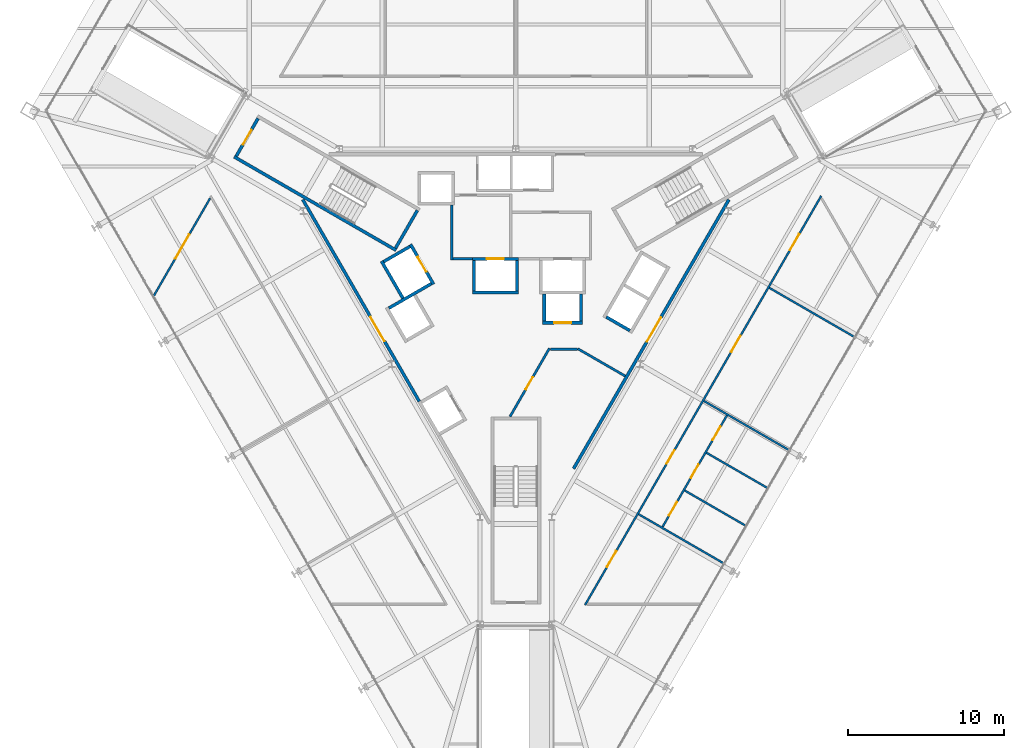
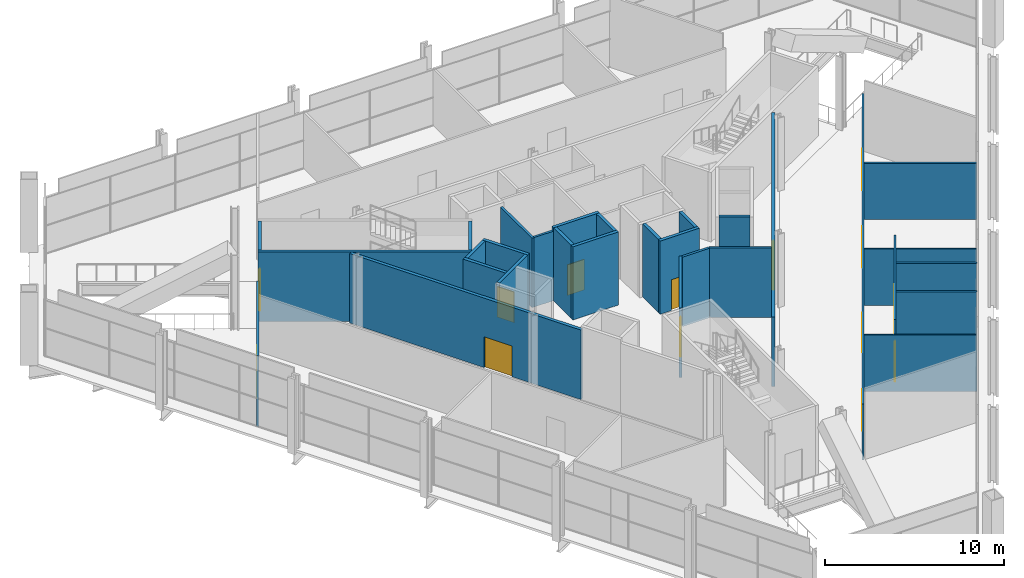
# One storey, part 13 of 20: 30 walls, 15 doors, 15 openings.
"""IFC4 building model written with IfcOpenShell, lengths in metres."""

from ifc_helpers import new_model, si_unit, direction, frame, frame_2d, origin, place, context, subcontext, project, spatial, rectangle, extrude, material, layer, layer_set, type_object, element, fill, save


model = new_model("IFC4")

# Units and contexts
model_context = context("Model", 3, precision=1e-05, world=origin(), true_north=direction((0.0, 1.0)))
body_context = subcontext(model_context, "Body", "Model", "MODEL_VIEW")
ifc_project = project(units=[si_unit("LENGTHUNIT", "METRE"), si_unit("AREAUNIT", "SQUARE_METRE"), si_unit("VOLUMEUNIT", "CUBIC_METRE"), si_unit("PLANEANGLEUNIT", "RADIAN"), si_unit("MASSUNIT", "GRAM", prefix="KILO")], contexts=[model_context])

# Site, building, storey
site_placement = place(None, origin())
site = spatial("IfcSite", under=ifc_project, at=site_placement, CompositionType="ELEMENT")
building_placement = place(site_placement, origin())
building = spatial("IfcBuilding", under=site, at=building_placement, Name="Verrane Prism Tower", CompositionType="ELEMENT")
storey_placement = place(building_placement, frame((0.0, 0.0, 17.39990234375)))
storey = spatial("IfcBuildingStorey", under=building, at=storey_placement, Name="L02", CompositionType="ELEMENT", Elevation=17.39990234375)

# Walls
ifc_material_1 = material(Name="Gypsum board partition", Category="other")
ifc_layer_1 = layer(ifc_material_1, 0.125)
ifc_layer_set_1 = layer_set([ifc_layer_1], Name="BW-125 demising wall 1 h")
wall_type_1 = type_object("IfcWallType", Name="BW-125 demising wall 1 h", PredefinedType="PARTITIONING", material=ifc_layer_set_1)
wall_1_placement = place(storey_placement, frame((16.257080078125, 0.292724609375, 0.0), z_axis=(0.0, 0.0, 1.0), x_axis=(0.866118237319, -0.499839173118, 0.0)))
element("IfcWall", 1, at=wall_1_placement, inside=storey, type_object=wall_type_1, Name="Demising wall 019", PredefinedType="PARTITIONING", context=body_context, shape_type="SweptSolid", body=[
    extrude(rectangle(XDim=6.33740234375, YDim=0.125, at=frame_2d((3.168701171875, 0.0))), origin(), (0.0, 0.0, 1.0), 3.85302734375),
])
ifc_material_2 = material(Name="Gypsum board partition", Category="other")
ifc_layer_2 = layer(ifc_material_2, 0.125)
ifc_layer_set_2 = layer_set([ifc_layer_2], Name="BW-125 plumbing wall")
wall_type_2 = type_object("IfcWallType", Name="BW-125 plumbing wall", PredefinedType="PARTITIONING", material=ifc_layer_set_2)
wall_2_placement = place(storey_placement, frame((7.875244140625, -14.226318359375, 0.0), z_axis=(0.0, 0.0, 1.0), x_axis=(0.866003371142, -0.500038159714, 0.0)))
element("IfcWall", 2, at=wall_2_placement, inside=storey, type_object=wall_type_2, Name="Plumbing wall 012", PredefinedType="PARTITIONING", context=body_context, shape_type="SweptSolid", body=[
    extrude(rectangle(XDim=6.3369140625, YDim=0.125, at=frame_2d((3.16845703125, 0.0))), origin(), (0.0, 0.0, 1.0), 3.85302734375),
])

# Wall, openings, doors
wall_3_placement = place(storey_placement, frame((13.539794921875, -7.88916015625, 0.0), z_axis=(0.0, 0.0, 1.0), x_axis=(-0.500033134207, -0.866006272896, 0.0)))
wall_3 = element("IfcWall", 3, at=wall_3_placement, inside=storey, type_object=wall_type_2, Name="Plumbing wall 014", PredefinedType="PARTITIONING", context=body_context, shape_type="SweptSolid", body=[
    extrude(rectangle(XDim=8.25341796875, YDim=0.125, at=frame_2d((4.126708984375, 0.0))), origin(), (0.0, 0.0, 1.0), 4.840087890625),
])
opening_1_placement = place(wall_3_placement, frame((6.4208984375, 0.0, 0.0)))
opening_1 = element("IfcOpeningElement", 4, at=opening_1_placement, cuts=wall_3, Name="Opening D02010", PredefinedType="OPENING", context=body_context, shape_type="SweptSolid", body=[
    extrude(rectangle(XDim=1.0, YDim=2.10009765625, at=frame_2d((0.5, 1.050048828125))), frame((0.0, 0.072509765625, 0.0), z_axis=(0.0, -1.0, 0.0), x_axis=(1.0, 0.0, 0.0)), (0.0, 0.0, 1.0), 0.14501953125),
])
opening_2_placement = place(wall_3_placement, frame((3.626953125, 0.0, 0.0)))
opening_2 = element("IfcOpeningElement", 5, at=opening_2_placement, cuts=wall_3, Name="Opening D02011", PredefinedType="OPENING", context=body_context, shape_type="SweptSolid", body=[
    extrude(rectangle(XDim=1.0, YDim=2.10009765625, at=frame_2d((0.5, 1.050048828125))), frame((0.0, 0.072509765625, 0.0), z_axis=(0.0, -1.0, 0.0), x_axis=(1.0, 0.0, 0.0)), (0.0, 0.0, 1.0), 0.14501953125),
])
opening_3_placement = place(wall_3_placement, frame((0.831787109375, 0.0, 0.0)))
opening_3 = element("IfcOpeningElement", 6, at=opening_3_placement, cuts=wall_3, Name="Opening D02012", PredefinedType="OPENING", context=body_context, shape_type="SweptSolid", body=[
    extrude(rectangle(XDim=1.0, YDim=2.10009765625, at=frame_2d((0.5, 1.050048828125))), frame((0.0, 0.072509765625, 0.0), z_axis=(0.0, -1.0, 0.0), x_axis=(1.0, 0.0, 0.0)), (0.0, 0.0, 1.0), 0.14501953125),
])
ifc_material_3 = material(Name="Timber veneered door leaf", Category="wood")
door_type_1 = type_object("IfcDoorType", Name="DR-1000x2100 single leaf room", OperationType="NOTDEFINED", PredefinedType="DOOR", material=ifc_material_3)
door_1_placement = place(opening_1_placement, origin())
door_1 = element("IfcDoor", 7, at=door_1_placement, inside=storey, type_object=door_type_1, Name="Door Men's WC 02SE", OperationType="SINGLE_SWING_LEFT", OverallHeight=2.10009765625, OverallWidth=1.0, PredefinedType="DOOR", context=body_context, shape_type="SweptSolid", body=[
    extrude(rectangle(XDim=1.0, YDim=2.10009765625, at=frame_2d((0.5, 1.050048828125))), frame((0.0, 0.02490234375, 0.0), z_axis=(0.0, -1.0, 0.0), x_axis=(1.0, 0.0, 0.0)), (0.0, 0.0, 1.0), 0.050048828125),
])
fill(opening_1, door_1)
door_2_placement = place(opening_2_placement, origin())
door_2 = element("IfcDoor", 8, at=door_2_placement, inside=storey, type_object=door_type_1, Name="Door Women's WC 02SE", OperationType="SINGLE_SWING_RIGHT", OverallHeight=2.10009765625, OverallWidth=1.0, PredefinedType="DOOR", context=body_context, shape_type="SweptSolid", body=[
    extrude(rectangle(XDim=1.0, YDim=2.10009765625, at=frame_2d((0.5, 1.050048828125))), frame((0.0, 0.02490234375, 0.0), z_axis=(0.0, -1.0, 0.0), x_axis=(1.0, 0.0, 0.0)), (0.0, 0.0, 1.0), 0.050048828125),
])
fill(opening_2, door_2)
door_3_placement = place(opening_3_placement, origin())
door_3 = element("IfcDoor", 9, at=door_3_placement, inside=storey, type_object=door_type_1, Name="Door Accessible WC 02SE", OperationType="SINGLE_SWING_LEFT", OverallHeight=2.10009765625, OverallWidth=1.0, PredefinedType="DOOR", context=body_context, shape_type="SweptSolid", body=[
    extrude(rectangle(XDim=1.0, YDim=2.10009765625, at=frame_2d((0.5, 1.050048828125))), frame((0.0, 0.02490234375, 0.0), z_axis=(0.0, -1.0, 0.0), x_axis=(1.0, 0.0, 0.0)), (0.0, 0.0, 1.0), 0.050048828125),
])
fill(opening_3, door_3)

# Walls
wall_4_placement = place(storey_placement, frame((10.83447265625, -12.708740234375, 0.0), z_axis=(0.0, 0.0, 1.0), x_axis=(0.866030417568, -0.499991315771, 0.0)))
element("IfcWall", 10, at=wall_4_placement, inside=storey, type_object=wall_type_2, Name="Plumbing wall 015", PredefinedType="PARTITIONING", context=body_context, shape_type="SweptSolid", body=[
    extrude(rectangle(XDim=4.53271484375, YDim=0.125, at=frame_2d((2.266357421875, 0.0))), origin(), (0.0, 0.0, 1.0), 4.840087890625),
])
wall_5_placement = place(storey_placement, frame((12.066162109375, -6.96630859375, 0.0), z_axis=(0.0, 0.0, 1.0), x_axis=(0.86604189602, -0.499971433522, 0.0)))
element("IfcWall", 11, at=wall_5_placement, inside=storey, type_object=wall_type_2, Name="Plumbing wall 017", PredefinedType="PARTITIONING", context=body_context, shape_type="SweptSolid", body=[
    extrude(rectangle(XDim=6.337646484375, YDim=0.125, at=frame_2d((3.1689453125, 0.0))), origin(), (0.0, 0.0, 1.0), 3.85302734375),
])
wall_6_placement = place(storey_placement, frame((12.22802734375, -10.286376953125, 0.0), z_axis=(0.0, 0.0, 1.0), x_axis=(0.866009042838, -0.50002833692, 0.0)))
element("IfcWall", 12, at=wall_6_placement, inside=storey, type_object=wall_type_2, Name="Plumbing wall 018", PredefinedType="PARTITIONING", context=body_context, shape_type="SweptSolid", body=[
    extrude(rectangle(XDim=4.536865234375, YDim=0.125, at=frame_2d((2.2685546875, 0.0))), origin(), (0.0, 0.0, 1.0), 4.840087890625),
])

# Wall, opening, door
ifc_material_4 = material(Name="Gypsum board partition", Category="other")
ifc_layer_3 = layer(ifc_material_4, 0.125)
ifc_layer_set_3 = layer_set([ifc_layer_3], Name="BW-125 shopfront wall 1 h")
wall_type_3 = type_object("IfcWallType", Name="BW-125 shopfront wall 1 h", PredefinedType="PARTITIONING", material=ifc_layer_set_3)
wall_7_placement = place(storey_placement, frame((-19.607421875, 6.0390625, 0.0), z_axis=(0.0, 0.0, 1.0), x_axis=(-0.500002873931, -0.866023744513, 0.0)))
wall_7 = element("IfcWall", 13, at=wall_7_placement, inside=storey, type_object=wall_type_3, Name="Shopfront wall 001", PredefinedType="PARTITIONING", context=body_context, shape_type="SweptSolid", body=[
    extrude(rectangle(XDim=7.28515625, YDim=0.125, at=frame_2d((3.642578125, 0.0))), origin(), (0.0, 0.0, 1.0), 4.840087890625),
])
opening_4_placement = place(wall_7_placement, frame((2.68505859375, 0.0, 0.0)))
opening_4 = element("IfcOpeningElement", 14, at=opening_4_placement, cuts=wall_7, Name="Opening D02005", PredefinedType="OPENING", context=body_context, shape_type="SweptSolid", body=[
    extrude(rectangle(XDim=1.800048828125, YDim=2.39990234375, at=frame_2d((0.89990234375, 1.199951171875))), frame((0.0, 0.072509765625, 0.0), z_axis=(0.0, -1.0, 0.0), x_axis=(1.0, 0.0, 0.0)), (0.0, 0.0, 1.0), 0.14501953125),
])
ifc_material_5 = material(Name="Aluminium and glass door leaf", Category="aluminium")
door_type_2 = type_object("IfcDoorType", Name="DR-1800x2400 FD20 double leaf shopfront", OperationType="NOTDEFINED", PredefinedType="DOOR", material=ifc_material_5)
door_4_placement = place(opening_4_placement, origin())
door_4 = element("IfcDoor", 15, at=door_4_placement, inside=storey, type_object=door_type_2, Name="Door Flagship Store 0205", OperationType="DOUBLE_DOOR_SINGLE_SWING", OverallHeight=2.39990234375, OverallWidth=1.800048828125, PredefinedType="DOOR", context=body_context, shape_type="SweptSolid", body=[
    extrude(rectangle(XDim=1.800048828125, YDim=2.39990234375, at=frame_2d((0.89990234375, 1.199951171875))), frame((0.0, 0.02490234375, 0.0), z_axis=(0.0, -1.0, 0.0), x_axis=(1.0, 0.0, 0.0)), (0.0, 0.0, 1.0), 0.050048828125),
])
fill(opening_4, door_4)

# Wall, openings, doors
wall_8_placement = place(storey_placement, frame((19.586181640625, 6.18408203125, 0.0), z_axis=(0.0, 0.0, 1.0), x_axis=(-0.499994028088, -0.866028851642, 0.0)))
wall_8 = element("IfcWall", 16, at=wall_8_placement, inside=storey, type_object=wall_type_3, Name="Shopfront wall 011", PredefinedType="PARTITIONING", context=body_context, shape_type="SweptSolid", body=[
    extrude(rectangle(XDim=30.297119140625, YDim=0.125, at=frame_2d((15.1484375, 0.0))), origin(), (0.0, 0.0, 1.0), 3.85302734375),
])
opening_5_placement = place(wall_8_placement, frame((26.28466796875, 0.0, 0.0)))
opening_5 = element("IfcOpeningElement", 17, at=opening_5_placement, cuts=wall_8, Name="Opening D02008", PredefinedType="OPENING", context=body_context, shape_type="SweptSolid", body=[
    extrude(rectangle(XDim=1.199951171875, YDim=2.10009765625, at=frame_2d((0.60009765625, 1.050048828125))), frame((0.0, 0.072509765625, 0.0), z_axis=(0.0, -1.0, 0.0), x_axis=(1.0, 0.0, 0.0)), (0.0, 0.0, 1.0), 0.14501953125),
])
opening_6_placement = place(wall_8_placement, frame((18.831787109375, 0.0, 0.0)))
opening_6 = element("IfcOpeningElement", 18, at=opening_6_placement, cuts=wall_8, Name="Opening D02009", PredefinedType="OPENING", context=body_context, shape_type="SweptSolid", body=[
    extrude(rectangle(XDim=1.0, YDim=2.10009765625, at=frame_2d((0.5, 1.050048828125))), frame((0.0, 0.072509765625, 0.0), z_axis=(0.0, -1.0, 0.0), x_axis=(1.0, 0.0, 0.0)), (0.0, 0.0, 1.0), 0.14501953125),
])
opening_7_placement = place(wall_8_placement, frame((10.3486328125, 0.0, 0.0)))
opening_7 = element("IfcOpeningElement", 19, at=opening_7_placement, cuts=wall_8, Name="Opening D02013", PredefinedType="OPENING", context=body_context, shape_type="SweptSolid", body=[
    extrude(rectangle(XDim=1.199951171875, YDim=2.10009765625, at=frame_2d((0.60009765625, 1.050048828125))), frame((0.0, 0.072509765625, 0.0), z_axis=(0.0, -1.0, 0.0), x_axis=(1.0, 0.0, 0.0)), (0.0, 0.0, 1.0), 0.14501953125),
])
opening_8_placement = place(wall_8_placement, frame((2.816650390625, 0.0, 0.0)))
opening_8 = element("IfcOpeningElement", 20, at=opening_8_placement, cuts=wall_8, Name="Opening D02014", PredefinedType="OPENING", context=body_context, shape_type="SweptSolid", body=[
    extrude(rectangle(XDim=1.199951171875, YDim=2.10009765625, at=frame_2d((0.60009765625, 1.050048828125))), frame((0.0, 0.072509765625, 0.0), z_axis=(0.0, -1.0, 0.0), x_axis=(1.0, 0.0, 0.0)), (0.0, 0.0, 1.0), 0.14501953125),
])
ifc_material_6 = material(Name="Timber veneered door leaf", Category="wood")
door_type_3 = type_object("IfcDoorType", Name="DR-1000x2100 FD20 single leaf wc lobby", OperationType="NOTDEFINED", PredefinedType="DOOR", material=ifc_material_6)
door_5_placement = place(opening_6_placement, origin())
door_5 = element("IfcDoor", 21, at=door_5_placement, inside=storey, type_object=door_type_3, Name="Door WC Lobby 02SE", OperationType="SINGLE_SWING_RIGHT", OverallHeight=2.10009765625, OverallWidth=1.0, PredefinedType="DOOR", context=body_context, shape_type="SweptSolid", body=[
    extrude(rectangle(XDim=1.0, YDim=2.10009765625, at=frame_2d((0.5, 1.050048828125))), frame((0.0, 0.02490234375, 0.0), z_axis=(0.0, -1.0, 0.0), x_axis=(1.0, 0.0, 0.0)), (0.0, 0.0, 1.0), 0.050048828125),
])
fill(opening_6, door_5)
ifc_material_7 = material(Name="Timber veneered door leaf", Category="wood")
door_type_4 = type_object("IfcDoorType", Name="DR-1200x2100 FD20 single leaf shopfront", OperationType="NOTDEFINED", PredefinedType="DOOR", material=ifc_material_7)
door_6_placement = place(opening_5_placement, origin())
door_6 = element("IfcDoor", 22, at=door_6_placement, inside=storey, type_object=door_type_4, Name="Door Shop 0208", OperationType="SINGLE_SWING_LEFT", OverallHeight=2.10009765625, OverallWidth=1.199951171875, PredefinedType="DOOR", context=body_context, shape_type="SweptSolid", body=[
    extrude(rectangle(XDim=1.199951171875, YDim=2.10009765625, at=frame_2d((0.60009765625, 1.050048828125))), frame((0.0, 0.02490234375, 0.0), z_axis=(0.0, -1.0, 0.0), x_axis=(1.0, 0.0, 0.0)), (0.0, 0.0, 1.0), 0.050048828125),
])
fill(opening_5, door_6)
door_7_placement = place(opening_7_placement, origin())
door_7 = element("IfcDoor", 23, at=door_7_placement, inside=storey, type_object=door_type_4, Name="Door Shop 0209", OperationType="SINGLE_SWING_RIGHT", OverallHeight=2.10009765625, OverallWidth=1.199951171875, PredefinedType="DOOR", context=body_context, shape_type="SweptSolid", body=[
    extrude(rectangle(XDim=1.199951171875, YDim=2.10009765625, at=frame_2d((0.60009765625, 1.050048828125))), frame((0.0, 0.02490234375, 0.0), z_axis=(0.0, -1.0, 0.0), x_axis=(1.0, 0.0, 0.0)), (0.0, 0.0, 1.0), 0.050048828125),
])
fill(opening_7, door_7)
door_8_placement = place(opening_8_placement, origin())
door_8 = element("IfcDoor", 24, at=door_8_placement, inside=storey, type_object=door_type_4, Name="Door Shop 0210", OperationType="SINGLE_SWING_LEFT", OverallHeight=2.10009765625, OverallWidth=1.199951171875, PredefinedType="DOOR", context=body_context, shape_type="SweptSolid", body=[
    extrude(rectangle(XDim=1.199951171875, YDim=2.10009765625, at=frame_2d((0.60009765625, 1.050048828125))), frame((0.0, 0.02490234375, 0.0), z_axis=(0.0, -1.0, 0.0), x_axis=(1.0, 0.0, 0.0)), (0.0, 0.0, 1.0), 0.050048828125),
])
fill(opening_8, door_8)

# Wall, opening, door
ifc_material_8 = material(Name="Gypsum board partition", Category="other")
ifc_layer_4 = layer(ifc_material_8, 0.199951171875)
ifc_layer_set_4 = layer_set([ifc_layer_4], Name="CW-200 core boundary wall 2 h")
wall_type_4 = type_object("IfcWallType", Name="CW-200 core boundary wall 2 h", PredefinedType="PARTITIONING", material=ifc_layer_set_4)
wall_9_placement = place(storey_placement, frame((-13.666015625, 5.950439453125, 0.0), z_axis=(0.0, 0.0, 1.0), x_axis=(0.499971736997, -0.866041720822, 0.0)))
wall_9 = element("IfcWall", 25, at=wall_9_placement, inside=storey, type_object=wall_type_4, Name="Core boundary wall CW3-001", PredefinedType="PARTITIONING", context=body_context, shape_type="SweptSolid", body=[
    extrude(rectangle(XDim=14.948974609375, YDim=0.199951171875, at=frame_2d((7.474609375, 0.0))), origin(), (0.0, 0.0, 1.0), 4.75),
])
opening_9_placement = place(wall_9_placement, frame((8.68994140625, 0.0, 0.0)))
opening_9 = element("IfcOpeningElement", 26, at=opening_9_placement, cuts=wall_9, Name="Opening D02508", PredefinedType="OPENING", context=body_context, shape_type="SweptSolid", body=[
    extrude(rectangle(XDim=1.800048828125, YDim=2.10009765625, at=frame_2d((0.89990234375, 1.050048828125))), frame((0.0, 0.10986328125, 0.0), z_axis=(0.0, -1.0, 0.0), x_axis=(1.0, 0.0, 0.0)), (0.0, 0.0, 1.0), 0.219970703125),
])
ifc_material_9 = material(Name="Timber veneered door leaf", Category="wood")
door_type_5 = type_object("IfcDoorType", Name="DR-1800x2100 FD60 double leaf lift lobby", OperationType="NOTDEFINED", PredefinedType="DOOR", material=ifc_material_9)
door_9_placement = place(opening_9_placement, origin())
door_9 = element("IfcDoor", 27, at=door_9_placement, inside=storey, type_object=door_type_5, Name="Lift lobby door D02508", OperationType="DOUBLE_DOOR_SINGLE_SWING", OverallHeight=2.10009765625, OverallWidth=1.800048828125, PredefinedType="DOOR", context=body_context, shape_type="SweptSolid", body=[
    extrude(rectangle(XDim=1.800048828125, YDim=2.10009765625, at=frame_2d((0.89990234375, 1.050048828125))), frame((0.0, 0.02490234375, 0.0), z_axis=(0.0, -1.0, 0.0), x_axis=(1.0, 0.0, 0.0)), (0.0, 0.0, 1.0), 0.050048828125),
])
fill(opening_9, door_9)

wall_10_placement = place(storey_placement, frame((3.702880859375, -11.305908203125, 0.0), z_axis=(0.0, 0.0, 1.0), x_axis=(0.500006692285, 0.866021539957, 0.0)))
wall_10 = element("IfcWall", 28, at=wall_10_placement, inside=storey, type_object=wall_type_4, Name="Core boundary wall CW3-004", PredefinedType="PARTITIONING", context=body_context, shape_type="SweptSolid", body=[
    extrude(rectangle(XDim=19.926025390625, YDim=0.199951171875, at=frame_2d((9.962890625, 0.0))), origin(), (0.0, 0.0, 1.0), 4.75),
])
opening_10_placement = place(wall_10_placement, frame((9.39990234375, 0.0, 0.0)))
opening_10 = element("IfcOpeningElement", 29, at=opening_10_placement, cuts=wall_10, Name="Opening D02515", PredefinedType="OPENING", context=body_context, shape_type="SweptSolid", body=[
    extrude(rectangle(XDim=1.800048828125, YDim=2.10009765625, at=frame_2d((0.89990234375, 1.050048828125))), frame((0.0, 0.10986328125, 0.0), z_axis=(0.0, -1.0, 0.0), x_axis=(1.0, 0.0, 0.0)), (0.0, 0.0, 1.0), 0.219970703125),
])
door_10_placement = place(opening_10_placement, origin())
door_10 = element("IfcDoor", 30, at=door_10_placement, inside=storey, type_object=door_type_5, Name="Lift lobby door D02515", OperationType="DOUBLE_DOOR_SINGLE_SWING", OverallHeight=2.10009765625, OverallWidth=1.800048828125, PredefinedType="DOOR", context=body_context, shape_type="SweptSolid", body=[
    extrude(rectangle(XDim=1.800048828125, YDim=2.10009765625, at=frame_2d((0.89990234375, 1.050048828125))), frame((0.0, 0.02490234375, 0.0), z_axis=(0.0, -1.0, 0.0), x_axis=(1.0, 0.0, 0.0)), (0.0, 0.0, 1.0), 0.050048828125),
])
fill(opening_10, door_10)

ifc_material_10 = material(Name="Concrete C40/50", Category="concrete")
ifc_layer_5 = layer(ifc_material_10, 0.199951171875)
ifc_layer_set_5 = layer_set([ifc_layer_5], Name="CW-200 stair core wall concrete C40/50 3 h")
wall_type_5 = type_object("IfcWallType", Name="CW-200 stair core wall concrete C40/50 3 h", PredefinedType="PARTITIONING", material=ifc_layer_set_5)
wall_11_placement = place(storey_placement, frame((-16.533935546875, 11.162353515625, 0.0), z_axis=(0.0, 0.0, 1.0), x_axis=(-0.49998411664, -0.866034573852, 0.0)))
wall_11 = element("IfcWall", 31, at=wall_11_placement, inside=storey, type_object=wall_type_5, Name="Stair 2 enclosure wall", PredefinedType="PARTITIONING", context=body_context, shape_type="SweptSolid", body=[
    extrude(rectangle(XDim=2.7998046875, YDim=0.199951171875, at=frame_2d((1.39990234375, 0.0))), origin(), (0.0, 0.0, 1.0), 4.75),
])
opening_11_placement = place(wall_11_placement, frame((0.849853515625, 0.0, 0.0)))
opening_11 = element("IfcOpeningElement", 32, at=opening_11_placement, cuts=wall_11, Name="Opening D02501", PredefinedType="OPENING", context=body_context, shape_type="SweptSolid", body=[
    extrude(rectangle(XDim=1.10009765625, YDim=2.10009765625, at=frame_2d((0.550048828125, 1.050048828125))), frame((0.0, 0.10986328125, 0.0), z_axis=(0.0, -1.0, 0.0), x_axis=(1.0, 0.0, 0.0)), (0.0, 0.0, 1.0), 0.219970703125),
])
ifc_material_11 = material(Name="Timber veneered door leaf", Category="wood")
door_type_6 = type_object("IfcDoorType", Name="DR-1100x2100 FD90 single leaf stair", OperationType="NOTDEFINED", PredefinedType="DOOR", material=ifc_material_11)
door_11_placement = place(opening_11_placement, origin())
door_11 = element("IfcDoor", 33, at=door_11_placement, inside=storey, type_object=door_type_6, Name="Stair 2 door", OperationType="SINGLE_SWING_RIGHT", OverallHeight=2.10009765625, OverallWidth=1.10009765625, PredefinedType="DOOR", context=body_context, shape_type="SweptSolid", body=[
    extrude(rectangle(XDim=1.10009765625, YDim=2.10009765625, at=frame_2d((0.550048828125, 1.050048828125))), frame((0.0, 0.02490234375, 0.0), z_axis=(0.0, -1.0, 0.0), x_axis=(1.0, 0.0, 0.0)), (0.0, 0.0, 1.0), 0.050048828125),
])
fill(opening_11, door_11)

# Walls
wall_12_placement = place(storey_placement, frame((-7.67822265625, 2.700927734375, 0.0), z_axis=(0.0, 0.0, 1.0), x_axis=(-0.866026010844, 0.49999894854, 0.0)))
element("IfcWall", 34, at=wall_12_placement, inside=storey, type_object=wall_type_5, Name="Stair 2 enclosure wall", PredefinedType="PARTITIONING", context=body_context, shape_type="SweptSolid", body=[
    extrude(rectangle(XDim=12.0, YDim=0.199951171875, at=frame_2d((6.0, 0.0))), origin(), (0.0, 0.0, 1.0), 4.75),
])
wall_13_placement = place(storey_placement, frame((-6.314697265625, 5.262451171875, 0.0), z_axis=(0.0, 0.0, 1.0), x_axis=(-0.500049511043, -0.865996816683, 0.0)))
element("IfcWall", 35, at=wall_13_placement, inside=storey, type_object=wall_type_5, Name="Stair 2 enclosure wall", PredefinedType="PARTITIONING", context=body_context, shape_type="SweptSolid", body=[
    extrude(rectangle(XDim=2.800048828125, YDim=0.199951171875, at=frame_2d((1.39990234375, 0.0))), origin(), (0.0, 0.0, 1.0), 4.75),
])

# Wall, opening, door
ifc_material_12 = material(Name="Gypsum board shaft wall assembly", Category="other")
ifc_layer_6 = layer(ifc_material_12, 0.199951171875)
ifc_layer_set_6 = layer_set([ifc_layer_6], Name="HW-200 lift shaft wall 2 h")
wall_type_6 = type_object("IfcWallType", Name="HW-200 lift shaft wall 2 h", PredefinedType="PARTITIONING", material=ifc_layer_set_6)
wall_14_placement = place(storey_placement, frame((1.72509765625, -1.949951171875, 0.0), z_axis=(0.0, 0.0, 1.0), x_axis=(1.0, 0.0, 0.0)))
wall_14 = element("IfcWall", 36, at=wall_14_placement, inside=storey, type_object=wall_type_6, Name="Lift shaft wall", PredefinedType="PARTITIONING", context=body_context, shape_type="SweptSolid", body=[
    extrude(rectangle(XDim=2.5498046875, YDim=0.199951171875, at=frame_2d((1.27490234375, 0.0))), origin(), (0.0, 0.0, 1.0), 5.0),
])
opening_12_placement = place(wall_14_placement, frame((0.72509765625, 0.0, 0.0)))
opening_12 = element("IfcOpeningElement", 37, at=opening_12_placement, cuts=wall_14, Name="Opening D02507", PredefinedType="OPENING", context=body_context, shape_type="SweptSolid", body=[
    extrude(rectangle(XDim=1.10009765625, YDim=2.10009765625, at=frame_2d((0.550048828125, 1.050048828125))), frame((0.0, 0.10986328125, 0.0), z_axis=(0.0, -1.0, 0.0), x_axis=(1.0, 0.0, 0.0)), (0.0, 0.0, 1.0), 0.219970703125),
])
ifc_material_13 = material(Name="Stainless steel sliding landing door", Category="steel")
door_type_7 = type_object("IfcDoorType", Name="LD-1100x2100 lift landing door FD90 sliding", OperationType="NOTDEFINED", PredefinedType="DOOR", material=ifc_material_13)
door_12_placement = place(opening_12_placement, origin())
door_12 = element("IfcDoor", 38, at=door_12_placement, inside=storey, type_object=door_type_7, Name="Retail lift 2 landing door", OperationType="SLIDING_TO_RIGHT", OverallHeight=2.10009765625, OverallWidth=1.10009765625, PredefinedType="DOOR", context=body_context, shape_type="SweptSolid", body=[
    extrude(rectangle(XDim=1.10009765625, YDim=2.10009765625, at=frame_2d((0.550048828125, 1.050048828125))), frame((0.0, 0.02490234375, 0.0), z_axis=(0.0, -1.0, 0.0), x_axis=(1.0, 0.0, 0.0)), (0.0, 0.0, 1.0), 0.050048828125),
])
fill(opening_12, door_12)

# Wall
wall_15_placement = place(storey_placement, frame((-2.784912109375, 0.0, 0.0), z_axis=(0.0, 0.0, 1.0), x_axis=(1.0, 0.0, 0.0)))
element("IfcWall", 39, at=wall_15_placement, inside=storey, type_object=wall_type_6, Name="Lift shaft wall", PredefinedType="PARTITIONING", context=body_context, shape_type="SweptSolid", body=[
    extrude(rectangle(XDim=2.949951171875, YDim=0.199951171875, at=frame_2d((1.47509765625, 0.0))), origin(), (0.0, 0.0, 1.0), 5.0),
])

# Wall, opening, door
wall_16_placement = place(storey_placement, frame((-2.784912109375, 2.14990234375, 0.0), z_axis=(0.0, 0.0, 1.0), x_axis=(1.0, 0.0, 0.0)))
wall_16 = element("IfcWall", 40, at=wall_16_placement, inside=storey, type_object=wall_type_6, Name="Lift shaft wall", PredefinedType="PARTITIONING", context=body_context, shape_type="SweptSolid", body=[
    extrude(rectangle(XDim=2.949951171875, YDim=0.199951171875, at=frame_2d((1.47509765625, 0.0))), origin(), (0.0, 0.0, 1.0), 5.0),
])
opening_13_placement = place(wall_16_placement, frame((0.925048828125, 0.0, 0.0)))
opening_13 = element("IfcOpeningElement", 41, at=opening_13_placement, cuts=wall_16, Name="Opening D02503", PredefinedType="OPENING", context=body_context, shape_type="SweptSolid", body=[
    extrude(rectangle(XDim=1.10009765625, YDim=2.10009765625, at=frame_2d((0.550048828125, 1.050048828125))), frame((0.0, 0.10986328125, 0.0), z_axis=(0.0, -1.0, 0.0), x_axis=(1.0, 0.0, 0.0)), (0.0, 0.0, 1.0), 0.219970703125),
])
door_13_placement = place(opening_13_placement, origin())
door_13 = element("IfcDoor", 42, at=door_13_placement, inside=storey, type_object=door_type_7, Name="Fire service lift 1 landing door", OperationType="SLIDING_TO_LEFT", OverallHeight=2.10009765625, OverallWidth=1.10009765625, PredefinedType="DOOR", context=body_context, shape_type="SweptSolid", body=[
    extrude(rectangle(XDim=1.10009765625, YDim=2.10009765625, at=frame_2d((0.550048828125, 1.050048828125))), frame((0.0, 0.02490234375, 0.0), z_axis=(0.0, -1.0, 0.0), x_axis=(1.0, 0.0, 0.0)), (0.0, 0.0, 1.0), 0.050048828125),
])
fill(opening_13, door_13)

# Walls
wall_17_placement = place(storey_placement, frame((-8.14453125, -1.012939453125, 0.0), z_axis=(0.0, 0.0, 1.0), x_axis=(0.866016494683, 0.500015430699, 0.0)))
element("IfcWall", 43, at=wall_17_placement, inside=storey, type_object=wall_type_6, Name="Lift shaft wall", PredefinedType="PARTITIONING", context=body_context, shape_type="SweptSolid", body=[
    extrude(rectangle(XDim=3.14990234375, YDim=0.199951171875, at=frame_2d((1.574951171875, 0.0))), origin(), (0.0, 0.0, 1.0), 5.0),
])
wall_18_placement = place(storey_placement, frame((-8.48046875, 1.968505859375, 0.0), z_axis=(0.0, 0.0, 1.0), x_axis=(0.866000020948, 0.500043961785, 0.0)))
element("IfcWall", 44, at=wall_18_placement, inside=storey, type_object=wall_type_6, Name="Lift shaft wall", PredefinedType="PARTITIONING", context=body_context, shape_type="SweptSolid", body=[
    extrude(rectangle(XDim=1.949951171875, YDim=0.199951171875, at=frame_2d((0.97509765625, 0.0))), origin(), (0.0, 0.0, 1.0), 5.0),
])
for number, where, z_axis, x_axis, name in (
    (45, (4.175048828125, -1.85009765625, 0.0), (0.0, 0.0, 1.0), (0.0, 1.0, 0.0), "Lift shaft wall"),
    (46, (1.824951171875, -1.85009765625, 0.0), (0.0, 0.0, 1.0), (0.0, 1.0, 0.0), "Lift shaft wall"),
):
    element("IfcWall", number, at=place(storey_placement, frame(where, z_axis=z_axis, x_axis=x_axis)), inside=storey, type_object=wall_type_6, Name=name, PredefinedType="PARTITIONING", context=body_context, shape_type="SweptSolid", body=[
        extrude(rectangle(XDim=1.75, YDim=0.199951171875, at=frame_2d((0.875, 0.0))), origin(), (0.0, 0.0, 1.0), 5.0),
    ])
for number, where, z_axis, x_axis, name in (
    (47, (0.06494140625, 0.10009765625, 0.0), (0.0, 0.0, 1.0), (0.0, 1.0, 0.0), "Lift shaft wall"),
    (48, (-2.68505859375, 0.10009765625, 0.0), (0.0, 0.0, 1.0), (0.0, 1.0, 0.0), "Lift shaft wall"),
):
    element("IfcWall", number, at=place(storey_placement, frame(where, z_axis=z_axis, x_axis=x_axis)), inside=storey, type_object=wall_type_6, Name=name, PredefinedType="PARTITIONING", context=body_context, shape_type="SweptSolid", body=[
        extrude(rectangle(XDim=1.949951171875, YDim=0.199951171875, at=frame_2d((0.97509765625, 0.0))), origin(), (0.0, 0.0, 1.0), 5.0),
    ])

# Wall, opening, door
wall_19_placement = place(storey_placement, frame((-5.280029296875, 0.525390625, 0.0), z_axis=(0.0, 0.0, 1.0), x_axis=(-0.500037662692, 0.866003658127, 0.0)))
wall_19 = element("IfcWall", 49, at=wall_19_placement, inside=storey, type_object=wall_type_6, Name="Lift shaft wall", PredefinedType="PARTITIONING", context=body_context, shape_type="SweptSolid", body=[
    extrude(rectangle(XDim=2.949951171875, YDim=0.199951171875, at=frame_2d((1.47509765625, 0.0))), origin(), (0.0, 0.0, 1.0), 5.0),
])
opening_14_placement = place(wall_19_placement, frame((0.925048828125, 0.0, 0.0)))
opening_14 = element("IfcOpeningElement", 50, at=opening_14_placement, cuts=wall_19, Name="Opening D02505", PredefinedType="OPENING", context=body_context, shape_type="SweptSolid", body=[
    extrude(rectangle(XDim=1.10009765625, YDim=2.10009765625, at=frame_2d((0.550048828125, 1.050048828125))), frame((0.0, 0.10986328125, 0.0), z_axis=(0.0, -1.0, 0.0), x_axis=(1.0, 0.0, 0.0)), (0.0, 0.0, 1.0), 0.219970703125),
])
door_14_placement = place(opening_14_placement, origin())
door_14 = element("IfcDoor", 51, at=door_14_placement, inside=storey, type_object=door_type_7, Name="Service lift 1 landing door", OperationType="SLIDING_TO_LEFT", OverallHeight=2.10009765625, OverallWidth=1.10009765625, PredefinedType="DOOR", context=body_context, shape_type="SweptSolid", body=[
    extrude(rectangle(XDim=1.10009765625, YDim=2.10009765625, at=frame_2d((0.550048828125, 1.050048828125))), frame((0.0, 0.02490234375, 0.0), z_axis=(0.0, -1.0, 0.0), x_axis=(1.0, 0.0, 0.0)), (0.0, 0.0, 1.0), 0.050048828125),
])
fill(opening_14, door_14)

# Walls
wall_20_placement = place(storey_placement, frame((-7.241943359375, -0.37646484375, 0.0), z_axis=(0.0, 0.0, 1.0), x_axis=(-0.499996545922, 0.866027397988, 0.0)))
element("IfcWall", 52, at=wall_20_placement, inside=storey, type_object=wall_type_6, Name="Lift shaft wall", PredefinedType="PARTITIONING", context=body_context, shape_type="SweptSolid", body=[
    extrude(rectangle(XDim=2.75, YDim=0.199951171875, at=frame_2d((1.375, 0.0))), origin(), (0.0, 0.0, 1.0), 5.0),
])
wall_21_placement = place(storey_placement, frame((7.314697265625, -2.45068359375, 0.0), z_axis=(0.0, 0.0, 1.0), x_axis=(-0.866036909293, 0.499980071345, 0.0)))
element("IfcWall", 53, at=wall_21_placement, inside=storey, type_object=wall_type_6, Name="Lift shaft wall", PredefinedType="PARTITIONING", context=body_context, shape_type="SweptSolid", body=[
    extrude(rectangle(XDim=1.75, YDim=0.199951171875, at=frame_2d((0.875, 0.0))), origin(), (0.0, 0.0, 1.0), 5.0),
])
ifc_material_14 = material(Name="Gypsum board partition", Category="other")
ifc_layer_7 = layer(ifc_material_14, 0.14990234375)
ifc_layer_set_7 = layer_set([ifc_layer_7], Name="LF-150 firefighting lobby wall 1 h")
wall_type_7 = type_object("IfcWallType", Name="LF-150 firefighting lobby wall 1 h", PredefinedType="PARTITIONING", material=ifc_layer_set_7)
wall_22_placement = place(storey_placement, frame((-4.10009765625, 2.0849609375, 0.0), z_axis=(0.0, 0.0, 1.0), x_axis=(0.0, 1.0, 0.0)))
element("IfcWall", 54, at=wall_22_placement, inside=storey, type_object=wall_type_7, Name="Firefighting lobby wall LF1-001", PredefinedType="PARTITIONING", context=body_context, shape_type="SweptSolid", body=[
    extrude(rectangle(XDim=3.52294921875, YDim=0.14990234375, at=frame_2d((1.761474609375, 0.0))), origin(), (0.0, 0.0, 1.0), 4.75),
])
wall_23_placement = place(storey_placement, frame((-4.02490234375, 2.159912109375, 0.0), z_axis=(0.0, 0.0, 1.0), x_axis=(1.0, 0.0, 0.0)))
element("IfcWall", 55, at=wall_23_placement, inside=storey, type_object=wall_type_7, Name="Firefighting lobby wall LF1-002", PredefinedType="PARTITIONING", context=body_context, shape_type="SweptSolid", body=[
    extrude(rectangle(XDim=1.23779296875, YDim=0.14990234375, at=frame_2d((0.618896484375, 0.0))), origin(), (0.0, 0.0, 1.0), 4.75),
])

# Wall, opening, door
ifc_material_15 = material(Name="Gypsum board partition", Category="other")
ifc_layer_8 = layer(ifc_material_15, 0.14990234375)
ifc_layer_set_8 = layer_set([ifc_layer_8], Name="RS-150 riser enclosure wall 1 h")
wall_type_8 = type_object("IfcWallType", Name="RS-150 riser enclosure wall 1 h", PredefinedType="PARTITIONING", material=ifc_layer_set_8)
wall_24_placement = place(storey_placement, frame((2.156494140625, -3.5849609375, 0.0), z_axis=(0.0, 0.0, 1.0), x_axis=(-0.500064700545, -0.865988045685, 0.0)))
wall_24 = element("IfcWall", 56, at=wall_24_placement, inside=storey, type_object=wall_type_8, Name="Riser wall RS3-003", PredefinedType="PARTITIONING", context=body_context, shape_type="SweptSolid", body=[
    extrude(rectangle(XDim=5.063232421875, YDim=0.14990234375, at=frame_2d((2.53173828125, 0.0))), origin(), (0.0, 0.0, 1.0), 4.75),
])
opening_15_placement = place(wall_24_placement, frame((2.148193359375, 0.0, 0.0)))
opening_15 = element("IfcOpeningElement", 57, at=opening_15_placement, cuts=wall_24, Name="Opening D02513", PredefinedType="OPENING", context=body_context, shape_type="SweptSolid", body=[
    extrude(rectangle(XDim=0.89990234375, YDim=2.10009765625, at=frame_2d((0.449951171875, 1.050048828125))), frame((0.0, 0.0849609375, 0.0), z_axis=(0.0, -1.0, 0.0), x_axis=(1.0, 0.0, 0.0)), (0.0, 0.0, 1.0), 0.169921875),
])
ifc_material_16 = material(Name="Timber veneered door leaf", Category="wood")
door_type_8 = type_object("IfcDoorType", Name="DR-900x2100 FD20 single leaf store", OperationType="NOTDEFINED", PredefinedType="DOOR", material=ifc_material_16)
door_15_placement = place(opening_15_placement, origin())
door_15 = element("IfcDoor", 58, at=door_15_placement, inside=storey, type_object=door_type_8, Name="Room door D02513", OperationType="SINGLE_SWING_LEFT", OverallHeight=2.10009765625, OverallWidth=0.89990234375, PredefinedType="DOOR", context=body_context, shape_type="SweptSolid", body=[
    extrude(rectangle(XDim=0.89990234375, YDim=2.10009765625, at=frame_2d((0.449951171875, 1.050048828125))), frame((0.0, 0.02490234375, 0.0), z_axis=(0.0, -1.0, 0.0), x_axis=(1.0, 0.0, 0.0)), (0.0, 0.0, 1.0), 0.050048828125),
])
fill(opening_15, door_15)

# Walls
wall_25_placement = place(storey_placement, frame((2.218994140625, -3.64990234375, 0.0), z_axis=(0.0, 0.0, 1.0), x_axis=(1.0, 0.0, 0.0)))
element("IfcWall", 59, at=wall_25_placement, inside=storey, type_object=wall_type_8, Name="Riser wall RS3-005", PredefinedType="PARTITIONING", context=body_context, shape_type="SweptSolid", body=[
    extrude(rectangle(XDim=1.722900390625, YDim=0.14990234375, at=frame_2d((0.861328125, 0.0))), origin(), (0.0, 0.0, 1.0), 4.75),
])
wall_26_placement = place(storey_placement, frame((3.97705078125, -3.612548828125, 0.0), z_axis=(0.0, 0.0, 1.0), x_axis=(0.866068583921, -0.49992520235, 0.0)))
element("IfcWall", 60, at=wall_26_placement, inside=storey, type_object=wall_type_8, Name="Riser wall RS3-007", PredefinedType="PARTITIONING", context=body_context, shape_type="SweptSolid", body=[
    extrude(rectangle(XDim=3.50927734375, YDim=0.14990234375, at=frame_2d((1.754638671875, 0.0))), origin(), (0.0, 0.0, 1.0), 4.75),
])

save(model, "model.ifc")
